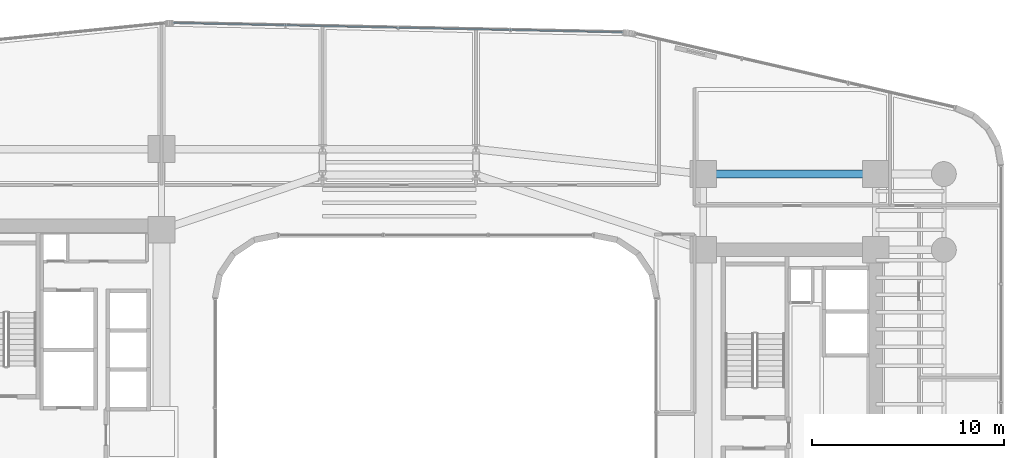
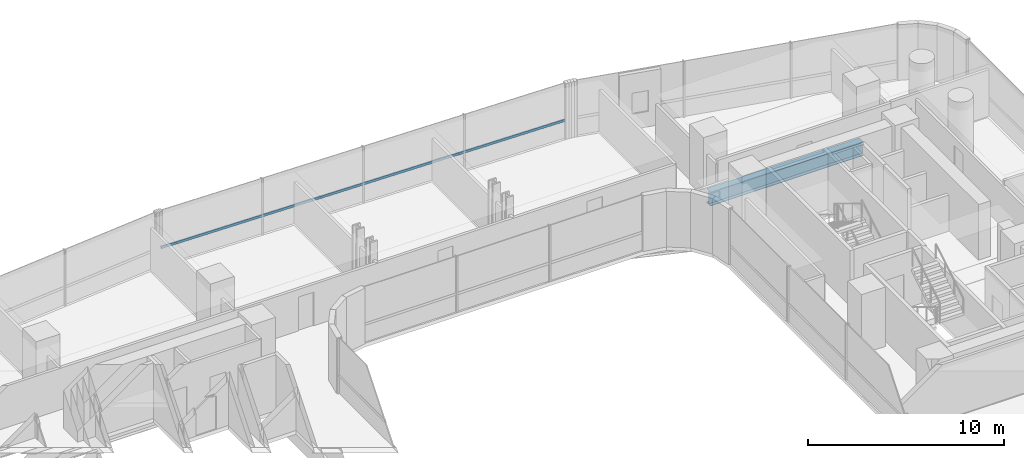
# One storey, part 22 of 38: 1 beam, 1 member, 1 element without a shape of its own.
"""IFC4 building model written with IfcOpenShell, lengths in metres."""

from ifc_helpers import new_model, si_unit, direction, frame, origin, origin_2d, place, context, subcontext, project, spatial, hollow_rectangle, i_section, extrude, source, transform, mapped, material, material_profile, profile_set, type_object, element, aggregate, save


model = new_model("IFC4")

# Units and contexts
model_context = context("Model", 3, precision=1e-05, world=origin(), true_north=direction((0.0, 1.0)))
body_context = subcontext(model_context, "Body", "Model", "MODEL_VIEW")
ifc_project = project(units=[si_unit("LENGTHUNIT", "METRE"), si_unit("AREAUNIT", "SQUARE_METRE"), si_unit("VOLUMEUNIT", "CUBIC_METRE"), si_unit("PLANEANGLEUNIT", "RADIAN"), si_unit("MASSUNIT", "GRAM", prefix="KILO")], contexts=[model_context])

# Site, building, storey
site_placement = place(None, origin())
site = spatial("IfcSite", under=ifc_project, at=site_placement, CompositionType="ELEMENT")
building_placement = place(site_placement, origin())
building = spatial("IfcBuilding", under=site, at=building_placement, Name="Valdorenza Pilgrim Sanctuary Tower", CompositionType="ELEMENT")
storey_placement = place(building_placement, frame((0.0, 0.0, 37.10009765625)))
storey = spatial("IfcBuildingStorey", under=building, at=storey_placement, Name="L08", CompositionType="ELEMENT", Elevation=37.10009765625)

# Beam
ifc_material_1 = material(Name="Steel ASTM A992 Grade 50", Category="steel")
ifc_material_profile_1 = material_profile(ifc_material_1, i_section(OverallWidth=0.39990234375, OverallDepth=0.862060546875, WebThickness=0.019775390625, FlangeThickness=0.032470703125, at=origin_2d()), Name="W33X221")
ifc_profile_set_1 = profile_set([ifc_material_profile_1], Name="Steel ASTM A992 Grade 50")
beam_type = type_object("IfcBeamType", Name="STR-BM-GRD-W33", PredefinedType="BEAM", material=ifc_profile_set_1)
shared_shape_1 = source(origin(), body_context, "Body", "SweptSolid", [
    extrude(i_section(OverallWidth=0.39990234375, OverallDepth=0.862060546875, WebThickness=0.019775390625, FlangeThickness=0.032470703125, at=origin_2d()), origin(), (0.0, 0.0, 1.0), 9.0),
])
beam_placement = place(storey_placement, frame((15.85009765625, 13.5, -0.671142578125), z_axis=(1.0, 0.0, 0.0), x_axis=(0.0, 1.0, 0.0)))
element("IfcBeam", 1, at=beam_placement, inside=storey, type_object=beam_type, Name="L08 Floor Girder CB-XC-N2", PredefinedType="BEAM", context=body_context, shape_type="MappedRepresentation", body=[
    mapped(shared_shape_1, transform((0.0, 0.0, 0.0), x_axis=(1.0, 0.0, 0.0), y_axis=(0.0, 1.0, 0.0), z_axis=(0.0, 0.0, 1.0), scale=1.0)),
])

# Curtain wall, member
ifc_material_2 = material(Name="Curtain-wall IGU glazing", Category="glass")
curtain_wall_type = type_object("IfcCurtainWallType", Name="CW-SYS-02", PredefinedType="NOTDEFINED", material=ifc_material_2)
curtain_wall_placement = place(storey_placement, origin())
curtain_wall = element("IfcCurtainWall", 2, at=curtain_wall_placement, inside=storey, type_object=curtain_wall_type, Name="L08 Curtain Wall CW-L08-1-11", PredefinedType="NOTDEFINED")
ifc_material_3 = material(Name="Anodised aluminium AW-6060", Category="aluminium")
ifc_material_profile_2 = material_profile(ifc_material_3, hollow_rectangle(XDim=0.074951171875, YDim=0.14990234375, WallThickness=0.00390625, at=origin_2d()), Name="ALU-T 150x75x4")
ifc_profile_set_2 = profile_set([ifc_material_profile_2], Name="Anodised aluminium AW-6060")
member_type = type_object("IfcMemberType", Name="CW-TRN-02", PredefinedType="USERDEFINED", material=ifc_profile_set_2)
shared_shape_2 = source(origin(), body_context, "Body", "SweptSolid", [
    extrude(hollow_rectangle(XDim=0.074951171875, YDim=0.14990234375, WallThickness=0.00390625, at=origin_2d()), origin(), (0.0, 0.0, 1.0), 23.479248046875),
])
member_placement = place(storey_placement, frame((-11.808349609375, 21.385986328125, 1.119873046875), z_axis=(0.999783083794, -0.020827514476, 0.0), x_axis=(0.020827514476, 0.999783083794, 0.0)))
member = element("IfcMember", 3, at=member_placement, type_object=member_type, Name="CW-L08-1-11 Transom 1", ObjectType="TRANSOM", PredefinedType="USERDEFINED", context=body_context, shape_type="MappedRepresentation", body=[
    mapped(shared_shape_2, transform((0.0, 0.0, 0.0), x_axis=(1.0, 0.0, 0.0), y_axis=(0.0, 1.0, 0.0), z_axis=(0.0, 0.0, 1.0), scale=1.0)),
])
aggregate(curtain_wall, [member])

save(model, "model.ifc")
